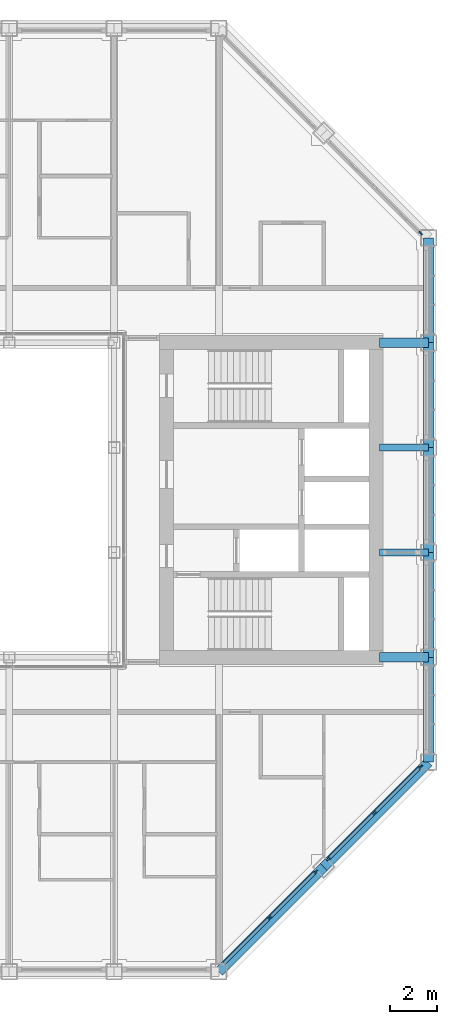
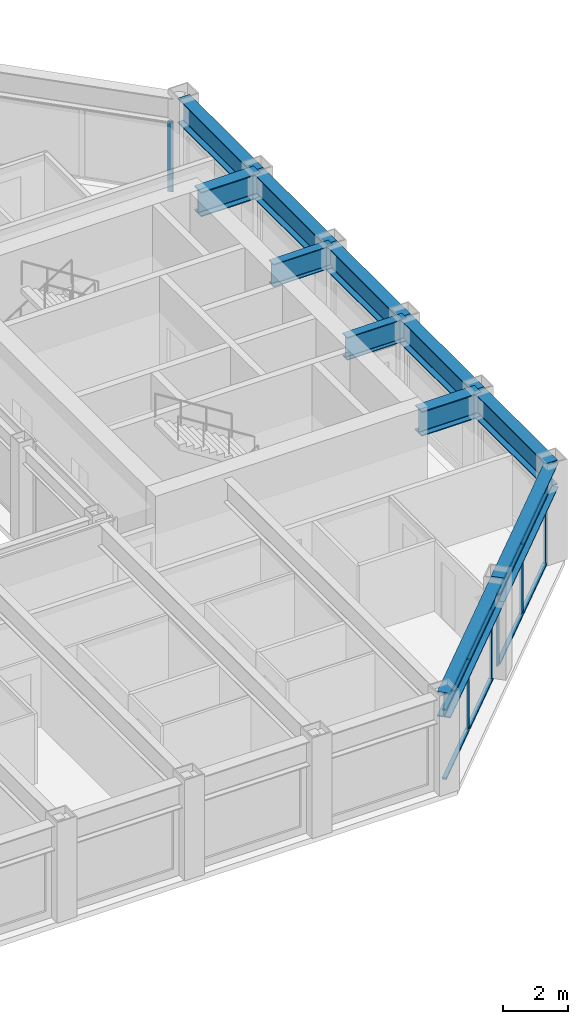
# One storey, part 5 of 17: 14 members, 11 beams, 3 elements without a shape of their own.
"""IFC4 building model written with IfcOpenShell, lengths in metres."""

from ifc_helpers import new_model, si_unit, direction, frame, origin, origin_2d, place, context, subcontext, project, spatial, rectangle, i_section, extrude, material, material_profile, profile_set, type_object, element, aggregate, save


model = new_model("IFC4")

# Units and contexts
model_context = context("Model", 3, precision=1e-05, world=origin(), true_north=direction((0.0, 1.0)))
body_context = subcontext(model_context, "Body", "Model", "MODEL_VIEW")
ifc_project = project(units=[si_unit("LENGTHUNIT", "METRE"), si_unit("AREAUNIT", "SQUARE_METRE"), si_unit("VOLUMEUNIT", "CUBIC_METRE"), si_unit("PLANEANGLEUNIT", "RADIAN"), si_unit("MASSUNIT", "GRAM", prefix="KILO")], contexts=[model_context])

# Site, building, storey
site_placement = place(None, origin())
site = spatial("IfcSite", under=ifc_project, at=site_placement, CompositionType="ELEMENT")
building_placement = place(site_placement, origin())
building = spatial("IfcBuilding", under=site, at=building_placement, Name="Msasa Ring Tower", CompositionType="ELEMENT")
storey_placement = place(building_placement, frame((0.0, 0.0, 242.050048828125)))
storey = spatial("IfcBuildingStorey", under=building, at=storey_placement, Name="L63", CompositionType="ELEMENT", Elevation=242.050048828125)

# Curtain wall, members
ifc_material_1 = material(Name="Aluminium curtain wall with clear glass", Category="aluminium")
curtain_wall_type = type_object("IfcCurtainWallType", Name="CW-C CHAMFER CORNER CURTAIN WALL", PredefinedType="NOTDEFINED", material=ifc_material_1)
curtain_wall_1_placement = place(storey_placement, origin())
curtain_wall_1 = element("IfcCurtainWall", 1, at=curtain_wall_1_placement, inside=storey, type_object=curtain_wall_type, Name="Chamfer corner curtain wall SE L63", PredefinedType="NOTDEFINED")
ifc_material_2 = material(Name="Aluminium mullion", Category="aluminium")
ifc_material_profile_1 = material_profile(ifc_material_2, rectangle(XDim=0.06494140625, YDim=0.179931640625, at=origin_2d()), Name="AL 65x180")
ifc_profile_set_1 = profile_set([ifc_material_profile_1], Name="Aluminium mullion")
member_type_1 = type_object("IfcMemberType", Name="CW-C MULLION 65x180", PredefinedType="MULLION", material=ifc_profile_set_1)
member_1_placement = place(storey_placement, frame((13.42919921875, -17.92919921875, 0.0), z_axis=(0.0, 0.0, 1.0), x_axis=(-0.707106781187, 0.707106781187, 0.0)))
member_1 = element("IfcMember", 2, at=member_1_placement, type_object=member_type_1, Name="CW-C mullion 2", PredefinedType="MULLION", context=body_context, shape_type="SweptSolid", body=[
    extrude(rectangle(XDim=0.06494140625, YDim=0.179931640625, at=origin_2d()), origin(), (0.0, 0.0, 1.0), 2.62890625),
])
member_2_placement = place(storey_placement, frame((15.4052734375, -15.953369140625, 0.0), z_axis=(0.0, 0.0, 1.0), x_axis=(-0.707106781187, 0.707106781187, 0.0)))
member_2 = element("IfcMember", 3, at=member_2_placement, type_object=member_type_1, Name="CW-C mullion 3", PredefinedType="MULLION", context=body_context, shape_type="SweptSolid", body=[
    extrude(rectangle(XDim=0.06494140625, YDim=0.179931640625, at=origin_2d()), origin(), (0.0, 0.0, 1.0), 2.62890625),
])

curtain_wall_2_placement = place(storey_placement, origin())
curtain_wall_2 = element("IfcCurtainWall", 4, at=curtain_wall_2_placement, inside=storey, type_object=curtain_wall_type, Name="Chamfer corner curtain wall SE L63", PredefinedType="NOTDEFINED")
member_3_placement = place(storey_placement, frame((15.953369140625, -15.4052734375, 0.0), z_axis=(0.0, 0.0, 1.0), x_axis=(-0.707106781187, 0.707106781187, 0.0)))
member_3 = element("IfcMember", 5, at=member_3_placement, type_object=member_type_1, Name="CW-C mullion 1", PredefinedType="MULLION", context=body_context, shape_type="SweptSolid", body=[
    extrude(rectangle(XDim=0.06494140625, YDim=0.179931640625, at=origin_2d()), origin(), (0.0, 0.0, 1.0), 2.62890625),
])
member_4_placement = place(storey_placement, frame((17.92919921875, -13.42919921875, 0.0), z_axis=(0.0, 0.0, 1.0), x_axis=(-0.707106781187, 0.707106781187, 0.0)))
member_4 = element("IfcMember", 6, at=member_4_placement, type_object=member_type_1, Name="CW-C mullion 2", PredefinedType="MULLION", context=body_context, shape_type="SweptSolid", body=[
    extrude(rectangle(XDim=0.06494140625, YDim=0.179931640625, at=origin_2d()), origin(), (0.0, 0.0, 1.0), 2.62890625),
])
member_5_placement = place(storey_placement, frame((19.9052734375, -11.453369140625, 0.0), z_axis=(0.0, 0.0, 1.0), x_axis=(-0.707106781187, 0.707106781187, 0.0)))
member_5 = element("IfcMember", 7, at=member_5_placement, type_object=member_type_1, Name="CW-C mullion 3", PredefinedType="MULLION", context=body_context, shape_type="SweptSolid", body=[
    extrude(rectangle(XDim=0.06494140625, YDim=0.179931640625, at=origin_2d()), origin(), (0.0, 0.0, 1.0), 2.62890625),
])

# Curtain wall, member
curtain_wall_3_placement = place(storey_placement, origin())
curtain_wall_3 = element("IfcCurtainWall", 8, at=curtain_wall_3_placement, inside=storey, type_object=curtain_wall_type, Name="Chamfer corner curtain wall NE L63", PredefinedType="NOTDEFINED")
member_6_placement = place(storey_placement, frame((19.9052734375, 11.453369140625, 0.0), z_axis=(0.0, 0.0, 1.0), x_axis=(-0.707106781187, -0.707106781187, 0.0)))
member_6 = element("IfcMember", 9, at=member_6_placement, type_object=member_type_1, Name="CW-C mullion 1", PredefinedType="MULLION", context=body_context, shape_type="SweptSolid", body=[
    extrude(rectangle(XDim=0.06494140625, YDim=0.179931640625, at=origin_2d()), origin(), (0.0, 0.0, 1.0), 2.62890625),
])
aggregate(curtain_wall_3, [member_6])

# Member
ifc_material_3 = material(Name="Aluminium transom", Category="aluminium")
ifc_material_profile_2 = material_profile(ifc_material_3, rectangle(XDim=0.139892578125, YDim=0.06494140625, at=origin_2d()), Name="AL 65x140")
ifc_profile_set_2 = profile_set([ifc_material_profile_2], Name="Aluminium transom")
member_type_2 = type_object("IfcMemberType", Name="CW-C TRANSOM 65x140", PredefinedType="USERDEFINED", material=ifc_profile_set_2)
member_7_placement = place(storey_placement, frame((11.476318359375, -19.88232421875, 0.032470703125), z_axis=(0.707106781187, 0.707106781187, 0.0), x_axis=(-0.707106781187, 0.707106781187, 0.0)))
member_7 = element("IfcMember", 10, at=member_7_placement, type_object=member_type_2, Name="CW-C transom 1.1", ObjectType="TRANSOM", PredefinedType="USERDEFINED", context=body_context, shape_type="SweptSolid", body=[
    extrude(rectangle(XDim=0.139892578125, YDim=0.06494140625, at=origin_2d()), origin(), (0.0, 0.0, 1.0), 2.729248046875),
])

member_8_placement = place(storey_placement, frame((11.476318359375, -19.88232421875, 2.596435546875), z_axis=(0.707106781187, 0.707106781187, 0.0), x_axis=(-0.707106781187, 0.707106781187, 0.0)))
member_8 = element("IfcMember", 11, at=member_8_placement, type_object=member_type_2, Name="CW-C transom 1.2", ObjectType="TRANSOM", PredefinedType="USERDEFINED", context=body_context, shape_type="SweptSolid", body=[
    extrude(rectangle(XDim=0.139892578125, YDim=0.06494140625, at=origin_2d()), origin(), (0.0, 0.0, 1.0), 2.729248046875),
])

member_9_placement = place(storey_placement, frame((13.452392578125, -17.90625, 0.032470703125), z_axis=(0.707106781187, 0.707106781187, 0.0), x_axis=(-0.707106781187, 0.707106781187, 0.0)))
member_9 = element("IfcMember", 12, at=member_9_placement, type_object=member_type_2, Name="CW-C transom 2.1", ObjectType="TRANSOM", PredefinedType="USERDEFINED", context=body_context, shape_type="SweptSolid", body=[
    extrude(rectangle(XDim=0.139892578125, YDim=0.06494140625, at=origin_2d()), origin(), (0.0, 0.0, 1.0), 2.729248046875),
])

member_10_placement = place(storey_placement, frame((13.452392578125, -17.90625, 2.596435546875), z_axis=(0.707106781187, 0.707106781187, 0.0), x_axis=(-0.707106781187, 0.707106781187, 0.0)))
member_10 = element("IfcMember", 13, at=member_10_placement, type_object=member_type_2, Name="CW-C transom 2.2", ObjectType="TRANSOM", PredefinedType="USERDEFINED", context=body_context, shape_type="SweptSolid", body=[
    extrude(rectangle(XDim=0.139892578125, YDim=0.06494140625, at=origin_2d()), origin(), (0.0, 0.0, 1.0), 2.729248046875),
])

aggregate(curtain_wall_1, [member_1, member_2, member_7, member_8, member_9, member_10])

member_11_placement = place(storey_placement, frame((15.976318359375, -15.38232421875, 0.032470703125), z_axis=(0.707106781187, 0.707106781187, 0.0), x_axis=(-0.707106781187, 0.707106781187, 0.0)))
member_11 = element("IfcMember", 14, at=member_11_placement, type_object=member_type_2, Name="CW-C transom 1.1", ObjectType="TRANSOM", PredefinedType="USERDEFINED", context=body_context, shape_type="SweptSolid", body=[
    extrude(rectangle(XDim=0.139892578125, YDim=0.06494140625, at=origin_2d()), origin(), (0.0, 0.0, 1.0), 2.729248046875),
])

member_12_placement = place(storey_placement, frame((15.976318359375, -15.38232421875, 2.596435546875), z_axis=(0.707106781187, 0.707106781187, 0.0), x_axis=(-0.707106781187, 0.707106781187, 0.0)))
member_12 = element("IfcMember", 15, at=member_12_placement, type_object=member_type_2, Name="CW-C transom 1.2", ObjectType="TRANSOM", PredefinedType="USERDEFINED", context=body_context, shape_type="SweptSolid", body=[
    extrude(rectangle(XDim=0.139892578125, YDim=0.06494140625, at=origin_2d()), origin(), (0.0, 0.0, 1.0), 2.729248046875),
])

member_13_placement = place(storey_placement, frame((17.952392578125, -13.40625, 0.032470703125), z_axis=(0.707106781187, 0.707106781187, 0.0), x_axis=(-0.707106781187, 0.707106781187, 0.0)))
member_13 = element("IfcMember", 16, at=member_13_placement, type_object=member_type_2, Name="CW-C transom 2.1", ObjectType="TRANSOM", PredefinedType="USERDEFINED", context=body_context, shape_type="SweptSolid", body=[
    extrude(rectangle(XDim=0.139892578125, YDim=0.06494140625, at=origin_2d()), origin(), (0.0, 0.0, 1.0), 2.729248046875),
])

member_14_placement = place(storey_placement, frame((17.952392578125, -13.40625, 2.596435546875), z_axis=(0.707106781187, 0.707106781187, 0.0), x_axis=(-0.707106781187, 0.707106781187, 0.0)))
member_14 = element("IfcMember", 17, at=member_14_placement, type_object=member_type_2, Name="CW-C transom 2.2", ObjectType="TRANSOM", PredefinedType="USERDEFINED", context=body_context, shape_type="SweptSolid", body=[
    extrude(rectangle(XDim=0.139892578125, YDim=0.06494140625, at=origin_2d()), origin(), (0.0, 0.0, 1.0), 2.729248046875),
])

aggregate(curtain_wall_2, [member_3, member_4, member_5, member_11, member_12, member_13, member_14])

# Beams
ifc_material_4 = material(Name="Steel S355", Category="steel")
ifc_material_profile_3 = material_profile(ifc_material_4, i_section(OverallWidth=0.293701171875, OverallDepth=0.850830078125, WebThickness=0.01611328125, FlangeThickness=0.02685546875, FilletRadius=0.017822265625, at=origin_2d()), Name="UB 838x292x226")
ifc_profile_set_3 = profile_set([ifc_material_profile_3], Name="Steel S355")
beam_type_1 = type_object("IfcBeamType", Name="FB5 UB 838x292x226", PredefinedType="BEAM", material=ifc_profile_set_3)
for number, where, z_axis, x_axis, name in (
    (18, (20.25, -2.25, 3.12451171875), (-1.0, 0.0, 0.0), (0.0, -1.0, 0.0), "Floor beam E -2.25 under L64"),
    (19, (20.25, 2.25, 3.12451171875), (-1.0, 0.0, 0.0), (0.0, -1.0, 0.0), "Floor beam E +2.25 under L64"),
):
    element("IfcBeam", number, at=place(storey_placement, frame(where, z_axis=z_axis, x_axis=x_axis)), inside=storey, type_object=beam_type_1, Name=name, PredefinedType="BEAM", context=body_context, shape_type="SweptSolid", body=[
        extrude(i_section(OverallWidth=0.293701171875, OverallDepth=0.850830078125, WebThickness=0.01611328125, FlangeThickness=0.02685546875, FilletRadius=0.017822265625, at=origin_2d()), origin(), (0.0, 0.0, 1.0), 2.10009765625),
    ])
ifc_material_5 = material(Name="Steel S355", Category="steel")
ifc_material_profile_4 = material_profile(ifc_material_5, i_section(OverallWidth=0.42041015625, OverallDepth=0.9208984375, WebThickness=0.021484375, FlangeThickness=0.03662109375, FilletRadius=0.024169921875, at=origin_2d()), Name="UB 914x419x388")
ifc_profile_set_4 = profile_set([ifc_material_profile_4], Name="Steel S355")
beam_type_2 = type_object("IfcBeamType", Name="GB1 UB 914x419x388", PredefinedType="BEAM", material=ifc_profile_set_4)
for number, where, z_axis, x_axis, name in (
    (20, (18.14990234375, 6.75, 3.08935546875), (1.0, 0.0, 0.0), (0.0, 1.0, 0.0), "Girder E +6.75 under L64"),
    (21, (18.14990234375, -6.75, 3.08935546875), (1.0, 0.0, 0.0), (0.0, 1.0, 0.0), "Girder E -6.75 under L64"),
):
    element("IfcBeam", number, at=place(storey_placement, frame(where, z_axis=z_axis, x_axis=x_axis)), inside=storey, type_object=beam_type_2, Name=name, PredefinedType="BEAM", context=body_context, shape_type="SweptSolid", body=[
        extrude(i_section(OverallWidth=0.42041015625, OverallDepth=0.9208984375, WebThickness=0.021484375, FlangeThickness=0.03662109375, FilletRadius=0.024169921875, at=origin_2d()), origin(), (0.0, 0.0, 1.0), 2.10009765625),
    ])
ifc_material_6 = material(Name="Steel S355", Category="steel")
ifc_material_profile_5 = material_profile(ifc_material_6, i_section(OverallWidth=0.42041015625, OverallDepth=0.9208984375, WebThickness=0.021484375, FlangeThickness=0.03662109375, FilletRadius=0.024169921875, at=origin_2d()), Name="UB 914x419x388")
ifc_profile_set_5 = profile_set([ifc_material_profile_5], Name="Steel S355")
beam_type_3 = type_object("IfcBeamType", Name="SB1 UB 914x419x388", PredefinedType="SPANDREL", material=ifc_profile_set_5)
for number, where, z_axis, x_axis, name in (
    (22, (11.25, -20.25, 3.08935546875), (0.707106781187, 0.707106781187, 0.0), (-0.707106781187, 0.707106781187, 0.0), "Spandrel S+11.25 to SE under L64"),
    (23, (15.75, -15.75, 3.08935546875), (0.707106781187, 0.707106781187, 0.0), (-0.707106781187, 0.707106781187, 0.0), "Spandrel SE to E-11.25 under L64"),
):
    element("IfcBeam", number, at=place(storey_placement, frame(where, z_axis=z_axis, x_axis=x_axis)), inside=storey, type_object=beam_type_3, Name=name, PredefinedType="SPANDREL", context=body_context, shape_type="SweptSolid", body=[
        extrude(i_section(OverallWidth=0.42041015625, OverallDepth=0.9208984375, WebThickness=0.021484375, FlangeThickness=0.03662109375, FilletRadius=0.024169921875, at=origin_2d()), origin(), (0.0, 0.0, 1.0), 6.364013671875),
    ])
for number, where, z_axis, x_axis, name in (
    (24, (20.25, -11.25, 3.08935546875), (0.0, 1.0, 0.0), (-1.0, 0.0, 0.0), "Spandrel E-11.25 to E-6.75 under L64"),
    (25, (20.25, -6.75, 3.08935546875), (0.0, 1.0, 0.0), (-1.0, 0.0, 0.0), "Spandrel E-6.75 to E-2.25 under L64"),
    (26, (20.25, -2.25, 3.08935546875), (0.0, 1.0, 0.0), (-1.0, 0.0, 0.0), "Spandrel E-2.25 to E+2.25 under L64"),
    (27, (20.25, 2.25, 3.08935546875), (0.0, 1.0, 0.0), (-1.0, 0.0, 0.0), "Spandrel E+2.25 to E+6.75 under L64"),
    (28, (20.25, 6.75, 3.08935546875), (0.0, 1.0, 0.0), (-1.0, 0.0, 0.0), "Spandrel E+6.75 to E+11.25 under L64"),
):
    element("IfcBeam", number, at=place(storey_placement, frame(where, z_axis=z_axis, x_axis=x_axis)), inside=storey, type_object=beam_type_3, Name=name, PredefinedType="SPANDREL", context=body_context, shape_type="SweptSolid", body=[
        extrude(i_section(OverallWidth=0.42041015625, OverallDepth=0.9208984375, WebThickness=0.021484375, FlangeThickness=0.03662109375, FilletRadius=0.024169921875, at=origin_2d()), origin(), (0.0, 0.0, 1.0), 4.5),
    ])

save(model, "model.ifc")
